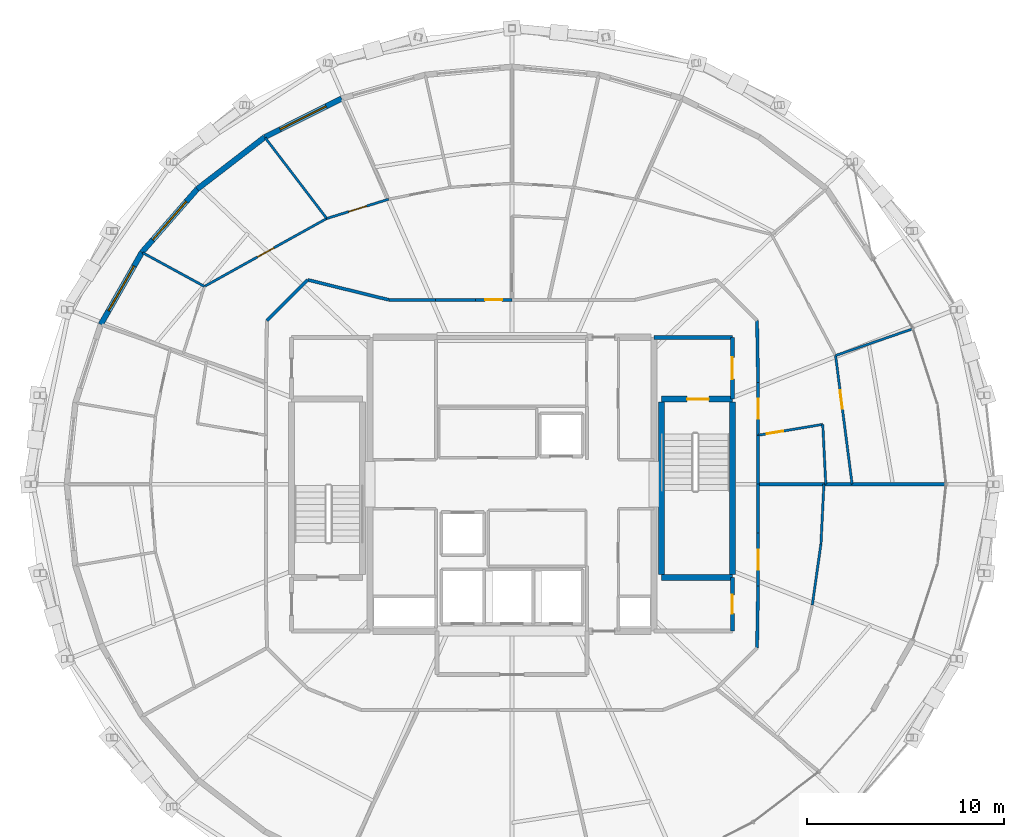
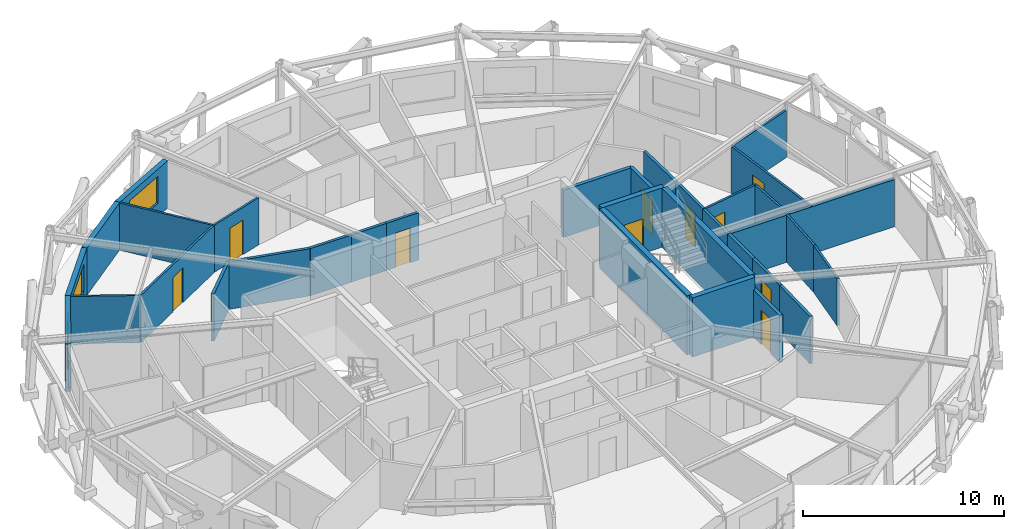
# One storey, part 14 of 17: 33 walls, 10 doors, 3 windows, 13 openings.
"""IFC4 building model written with IfcOpenShell, lengths in metres."""

from ifc_helpers import new_model, si_unit, direction, frame, frame_2d, origin, place, context, subcontext, project, spatial, rectangle, extrude, material, layer, layer_set, type_object, element, fill, save


model = new_model("IFC4")

# Units and contexts
model_context = context("Model", 3, precision=1e-05, world=origin(), true_north=direction((0.0, 1.0)))
body_context = subcontext(model_context, "Body", "Model", "MODEL_VIEW")
ifc_project = project(units=[si_unit("LENGTHUNIT", "METRE"), si_unit("AREAUNIT", "SQUARE_METRE"), si_unit("VOLUMEUNIT", "CUBIC_METRE"), si_unit("PLANEANGLEUNIT", "RADIAN"), si_unit("MASSUNIT", "GRAM", prefix="KILO")], contexts=[model_context])

# Site, building, storey
site_placement = place(None, origin())
site = spatial("IfcSite", under=ifc_project, at=site_placement, CompositionType="ELEMENT")
building_placement = place(site_placement, origin())
building = spatial("IfcBuilding", under=site, at=building_placement, Name="Veldorina Hangang Commons", CompositionType="ELEMENT")
storey_placement = place(building_placement, frame((0.0, 0.0, 229.199951171875)))
storey = spatial("IfcBuildingStorey", under=building, at=storey_placement, Name="L59", CompositionType="ELEMENT", Elevation=229.199951171875)

# Wall, opening, window
ifc_material_1 = material(Name="Stone Roman Travertine", Category="masonry")
ifc_layer_1 = layer(ifc_material_1, 0.280029296875)
ifc_layer_set_1 = layer_set([ifc_layer_1], Name="Stone Roman Travertine")
wall_type_1 = type_object("IfcWallType", Name="EW-TRAV-280", PredefinedType="STANDARD", material=ifc_layer_set_1)
wall_1_placement = place(storey_placement, frame((23.361328125, 43.558837890625, 0.0), z_axis=(0.0, 0.0, 1.0), x_axis=(-0.893979362311, -0.448108134005, 0.0)))
wall_1 = element("IfcWall", 1, at=wall_1_placement, inside=storey, type_object=wall_type_1, Name="L59 travertine facade wall 10", PredefinedType="STANDARD", context=body_context, shape_type="SweptSolid", body=[
    extrude(rectangle(XDim=4.36572265625, YDim=0.280029296875, at=frame_2d((2.182861328125, 0.0))), origin(), (0.0, 0.0, 1.0), 2.880126953125),
])
opening_1_placement = place(wall_1_placement, frame((0.8828125, 0.0, 0.800048828125)))
opening_1 = element("IfcOpeningElement", 2, at=opening_1_placement, cuts=wall_1, Name="Opening W-02", PredefinedType="OPENING", context=body_context, shape_type="SweptSolid", body=[
    extrude(rectangle(XDim=2.60009765625, YDim=1.64990234375, at=frame_2d((1.300048828125, 0.824951171875))), frame((0.0, 0.14990234375, 0.0), z_axis=(0.0, -1.0, 0.0), x_axis=(1.0, 0.0, 0.0)), (0.0, 0.0, 1.0), 0.300048828125),
])
ifc_material_2 = material(Name="Glass Low-E Triple IGU", Category="glass")
window_type = type_object("IfcWindowType", Name="WIN-TWR-2600", PartitioningType="SINGLE_PANEL", PredefinedType="WINDOW", material=ifc_material_2)
window_1_placement = place(opening_1_placement, origin())
window_1 = element("IfcWindow", 3, at=window_1_placement, inside=storey, type_object=window_type, Name="L59 facade window 10", OverallHeight=1.64990234375, OverallWidth=2.60009765625, PartitioningType="SINGLE_PANEL", PredefinedType="WINDOW", context=body_context, shape_type="SweptSolid", body=[
    extrude(rectangle(XDim=2.60009765625, YDim=1.64990234375, at=frame_2d((1.300048828125, 0.824951171875))), frame((0.0, 0.030029296875, 0.0), z_axis=(0.0, -1.0, 0.0), x_axis=(1.0, 0.0, 0.0)), (0.0, 0.0, 1.0), 0.06005859375),
])
fill(opening_1, window_1)

# Wall
wall_2_placement = place(storey_placement, frame((19.45849609375, 41.6025390625, 0.0), z_axis=(0.0, 0.0, 1.0), x_axis=(-0.792451546341, -0.609934870869, 0.0)))
element("IfcWall", 4, at=wall_2_placement, inside=storey, type_object=wall_type_1, Name="L59 travertine facade wall 11", PredefinedType="STANDARD", context=body_context, shape_type="SweptSolid", body=[
    extrude(rectangle(XDim=4.316650390625, YDim=0.280029296875, at=frame_2d((2.158203125, 0.0))), origin(), (0.0, 0.0, 1.0), 2.880126953125),
])

# Wall, opening, window
wall_3_placement = place(storey_placement, frame((16.037841796875, 38.9697265625, 0.0), z_axis=(0.0, 0.0, 1.0), x_axis=(-0.65855326106, -0.752534120387, 0.0)))
wall_3 = element("IfcWall", 5, at=wall_3_placement, inside=storey, type_object=wall_type_1, Name="L59 travertine facade wall 12", PredefinedType="STANDARD", context=body_context, shape_type="SweptSolid", body=[
    extrude(rectangle(XDim=4.262939453125, YDim=0.280029296875, at=frame_2d((2.13134765625, 0.0))), origin(), (0.0, 0.0, 1.0), 2.880126953125),
])
opening_2_placement = place(wall_3_placement, frame((0.83154296875, 0.0, 0.800048828125)))
opening_2 = element("IfcOpeningElement", 6, at=opening_2_placement, cuts=wall_3, Name="Opening W-02", PredefinedType="OPENING", context=body_context, shape_type="SweptSolid", body=[
    extrude(rectangle(XDim=2.60009765625, YDim=1.64990234375, at=frame_2d((1.300048828125, 0.824951171875))), frame((0.0, 0.14990234375, 0.0), z_axis=(0.0, -1.0, 0.0), x_axis=(1.0, 0.0, 0.0)), (0.0, 0.0, 1.0), 0.300048828125),
])
window_2_placement = place(opening_2_placement, origin())
window_2 = element("IfcWindow", 7, at=window_2_placement, inside=storey, type_object=window_type, Name="L59 facade window 12", OverallHeight=1.64990234375, OverallWidth=2.60009765625, PartitioningType="SINGLE_PANEL", PredefinedType="WINDOW", context=body_context, shape_type="SweptSolid", body=[
    extrude(rectangle(XDim=2.60009765625, YDim=1.64990234375, at=frame_2d((1.300048828125, 0.824951171875))), frame((0.0, 0.030029296875, 0.0), z_axis=(0.0, -1.0, 0.0), x_axis=(1.0, 0.0, 0.0)), (0.0, 0.0, 1.0), 0.06005859375),
])
fill(opening_2, window_2)

wall_4_placement = place(storey_placement, frame((13.23046875, 35.76171875, 0.0), z_axis=(0.0, 0.0, 1.0), x_axis=(-0.495183798622, -0.868788239782, 0.0)))
wall_4 = element("IfcWall", 8, at=wall_4_placement, inside=storey, type_object=wall_type_1, Name="L59 travertine facade wall 13", PredefinedType="STANDARD", context=body_context, shape_type="SweptSolid", body=[
    extrude(rectangle(XDim=4.212890625, YDim=0.280029296875, at=frame_2d((2.1064453125, 0.0))), origin(), (0.0, 0.0, 1.0), 2.880126953125),
])
opening_3_placement = place(wall_4_placement, frame((0.806396484375, 0.0, 0.800048828125)))
opening_3 = element("IfcOpeningElement", 9, at=opening_3_placement, cuts=wall_4, Name="Opening W-02", PredefinedType="OPENING", context=body_context, shape_type="SweptSolid", body=[
    extrude(rectangle(XDim=2.60009765625, YDim=1.64990234375, at=frame_2d((1.300048828125, 0.824951171875))), frame((0.0, 0.14990234375, 0.0), z_axis=(0.0, -1.0, 0.0), x_axis=(1.0, 0.0, 0.0)), (0.0, 0.0, 1.0), 0.300048828125),
])
window_3_placement = place(opening_3_placement, origin())
window_3 = element("IfcWindow", 10, at=window_3_placement, inside=storey, type_object=window_type, Name="L59 facade window 13", OverallHeight=1.64990234375, OverallWidth=2.60009765625, PartitioningType="SINGLE_PANEL", PredefinedType="WINDOW", context=body_context, shape_type="SweptSolid", body=[
    extrude(rectangle(XDim=2.60009765625, YDim=1.64990234375, at=frame_2d((1.300048828125, 0.824951171875))), frame((0.0, 0.030029296875, 0.0), z_axis=(0.0, -1.0, 0.0), x_axis=(1.0, 0.0, 0.0)), (0.0, 0.0, 1.0), 0.06005859375),
])
fill(opening_3, window_3)

# Walls
ifc_material_3 = material(Name="Concrete C50/60", Category="concrete")
ifc_layer_2 = layer(ifc_material_3, 0.300048828125)
ifc_layer_set_2 = layer_set([ifc_layer_2], Name="Concrete C50/60")
wall_type_2 = type_object("IfcWallType", Name="SW-STAIR-300", PredefinedType="SHEAR", material=ifc_layer_set_2)
for number, where, z_axis, x_axis, name in (
    (11, (43.179931640625, 19.429931640625, 0.0), (0.0, 0.0, 1.0), (0.0, 1.0, 0.0), "L59 ST2 outer stair shear wall"),
    (12, (39.580078125, 19.429931640625, 0.0), (0.0, 0.0, 1.0), (0.0, 1.0, 0.0), "L59 ST2 inner stair shear wall"),
):
    element("IfcWall", number, at=place(storey_placement, frame(where, z_axis=z_axis, x_axis=x_axis)), inside=storey, type_object=wall_type_2, Name=name, PredefinedType="SHEAR", context=body_context, shape_type="SweptSolid", body=[
        extrude(rectangle(XDim=8.739990234375, YDim=0.300048828125, at=frame_2d((4.3701171875, 0.0))), origin(), (0.0, 0.0, 1.0), 3.60009765625),
    ])
wall_5_placement = place(storey_placement, frame((39.580078125, 19.280029296875, 0.0), z_axis=(0.0, 0.0, 1.0), x_axis=(1.0, 0.0, 0.0)))
element("IfcWall", 13, at=wall_5_placement, inside=storey, type_object=wall_type_2, Name="L59 ST2 south stair shear wall", PredefinedType="SHEAR", context=body_context, shape_type="SweptSolid", body=[
    extrude(rectangle(XDim=3.599853515625, YDim=0.300048828125, at=frame_2d((1.7998046875, 0.0))), origin(), (0.0, 0.0, 1.0), 3.60009765625),
])

# Wall, opening, door
wall_6_placement = place(storey_placement, frame((39.580078125, 28.320068359375, 0.0), z_axis=(0.0, 0.0, 1.0), x_axis=(1.0, 0.0, 0.0)))
wall_6 = element("IfcWall", 14, at=wall_6_placement, inside=storey, type_object=wall_type_2, Name="L59 ST2 north stair shear wall", PredefinedType="SHEAR", context=body_context, shape_type="SweptSolid", body=[
    extrude(rectangle(XDim=3.599853515625, YDim=0.300048828125, at=frame_2d((1.7998046875, 0.0))), origin(), (0.0, 0.0, 1.0), 3.60009765625),
])
opening_4_placement = place(wall_6_placement, frame((1.300048828125, 0.0, 0.0)))
opening_4 = element("IfcOpeningElement", 15, at=opening_4_placement, cuts=wall_6, Name="Opening D-08", PredefinedType="OPENING", context=body_context, shape_type="SweptSolid", body=[
    extrude(rectangle(XDim=1.10009765625, YDim=2.10009765625, at=frame_2d((0.550048828125, 1.050048828125))), frame((0.0, 0.16015625, 0.0), z_axis=(0.0, -1.0, 0.0), x_axis=(1.0, 0.0, 0.0)), (0.0, 0.0, 1.0), 0.320068359375),
])
ifc_material_4 = material(Name="Steel Fire-Rated Smoke Seal", Category="steel")
door_type_1 = type_object("IfcDoorType", Name="DR-FIRE-1100", OperationType="SINGLE_SWING_RIGHT", PredefinedType="DOOR", material=ifc_material_4)
door_1_placement = place(opening_4_placement, origin())
door_1 = element("IfcDoor", 16, at=door_1_placement, inside=storey, type_object=door_type_1, Name="L59 Special Escape Stair ST-2 door", OperationType="SINGLE_SWING_RIGHT", OverallHeight=2.10009765625, OverallWidth=1.10009765625, PredefinedType="DOOR", context=body_context, shape_type="SweptSolid", body=[
    extrude(rectangle(XDim=1.10009765625, YDim=2.10009765625, at=frame_2d((0.550048828125, 1.050048828125))), frame((0.0, 0.02490234375, 0.0), z_axis=(0.0, -1.0, 0.0), x_axis=(1.0, 0.0, 0.0)), (0.0, 0.0, 1.0), 0.050048828125),
])
fill(opening_4, door_1)

# Wall
ifc_material_5 = material(Name="Gypsum Fire-Rated Twin Stud Wall", Category="gypsum")
ifc_layer_3 = layer(ifc_material_5, 0.159912109375)
ifc_layer_set_3 = layer_set([ifc_layer_3], Name="Gypsum Fire-Rated Twin Stud Wall")
wall_type_3 = type_object("IfcWallType", Name="WL-FIRE-160", PredefinedType="SOLIDWALL", material=ifc_layer_set_3)
wall_7_placement = place(storey_placement, frame((44.47998046875, 24.0, 0.0), z_axis=(0.0, 0.0, 1.0), x_axis=(0.0, 1.0, 0.0)))
element("IfcWall", 17, at=wall_7_placement, inside=storey, type_object=wall_type_3, Name="L59 Compact collar outer wall 00 050", PredefinedType="SOLIDWALL", context=body_context, shape_type="SweptSolid", body=[
    extrude(rectangle(XDim=2.482421875, YDim=0.159912109375, at=frame_2d((1.2412109375, 0.0))), origin(), (0.0, 0.0, 1.0), 2.8701171875),
])

# Wall, opening, door
wall_8_placement = place(storey_placement, frame((44.47998046875, 26.482421875, 0.0), z_axis=(0.0, 0.0, 1.0), x_axis=(0.0, 1.0, 0.0)))
wall_8 = element("IfcWall", 18, at=wall_8_placement, inside=storey, type_object=wall_type_3, Name="L59 Compact collar outer wall 01 051", PredefinedType="SOLIDWALL", context=body_context, shape_type="SweptSolid", body=[
    extrude(rectangle(XDim=2.68701171875, YDim=0.159912109375, at=frame_2d((1.343505859375, 0.0))), origin(), (0.0, 0.0, 1.0), 2.8701171875),
])
opening_5_placement = place(wall_8_placement, frame((0.843505859375, 0.0, 0.0)))
opening_5 = element("IfcOpeningElement", 19, at=opening_5_placement, cuts=wall_8, Name="Opening D-06", PredefinedType="OPENING", context=body_context, shape_type="SweptSolid", body=[
    extrude(rectangle(XDim=1.0, YDim=2.10009765625, at=frame_2d((0.5, 1.050048828125))), frame((0.0, 0.08984375, 0.0), z_axis=(0.0, -1.0, 0.0), x_axis=(1.0, 0.0, 0.0)), (0.0, 0.0, 1.0), 0.179931640625),
])
ifc_material_6 = material(Name="Timber Fire-Rated Entrance Core", Category="wood")
door_type_2 = type_object("IfcDoorType", Name="DR-UNIT-1000", OperationType="SINGLE_SWING_LEFT", PredefinedType="DOOR", material=ifc_material_6)
door_2_placement = place(opening_5_placement, origin())
door_2 = element("IfcDoor", 20, at=door_2_placement, inside=storey, type_object=door_type_2, Name="L59 Cluster 2 entrance door 021", OperationType="SINGLE_SWING_LEFT", OverallHeight=2.10009765625, OverallWidth=1.0, PredefinedType="DOOR", context=body_context, shape_type="SweptSolid", body=[
    extrude(rectangle(XDim=1.0, YDim=2.10009765625, at=frame_2d((0.5, 1.050048828125))), frame((0.0, 0.02490234375, 0.0), z_axis=(0.0, -1.0, 0.0), x_axis=(1.0, 0.0, 0.0)), (0.0, 0.0, 1.0), 0.050048828125),
])
fill(opening_5, door_2)

# Wall
wall_9_placement = place(storey_placement, frame((44.47998046875, 29.16943359375, 0.0), z_axis=(0.0, 0.0, 1.0), x_axis=(-0.016981035134, 0.999855811828, 0.0)))
element("IfcWall", 21, at=wall_9_placement, inside=storey, type_object=wall_type_3, Name="L59 Compact collar outer wall 02 052", PredefinedType="SOLIDWALL", context=body_context, shape_type="SweptSolid", body=[
    extrude(rectangle(XDim=3.13427734375, YDim=0.159912109375, at=frame_2d((1.567138671875, 0.0))), origin(), (0.0, 0.0, 1.0), 2.8701171875),
])

# Wall, opening, door
wall_10_placement = place(storey_placement, frame((32.0, 33.35009765625, 0.0), z_axis=(0.0, 0.0, 1.0), x_axis=(-1.0, 0.0, 0.0)))
wall_10 = element("IfcWall", 22, at=wall_10_placement, inside=storey, type_object=wall_type_3, Name="L59 Compact collar outer wall 08 058", PredefinedType="SOLIDWALL", context=body_context, shape_type="SweptSolid", body=[
    extrude(rectangle(XDim=1.85986328125, YDim=0.159912109375, at=frame_2d((0.929931640625, 0.0))), origin(), (0.0, 0.0, 1.0), 2.8701171875),
])
opening_6_placement = place(wall_10_placement, frame((0.5, 0.0, 0.0)))
opening_6 = element("IfcOpeningElement", 23, at=opening_6_placement, cuts=wall_10, Name="Opening D-01N", PredefinedType="OPENING", context=body_context, shape_type="SweptSolid", body=[
    extrude(rectangle(XDim=0.860107421875, YDim=2.10009765625, at=frame_2d((0.43017578125, 1.050048828125))), frame((0.0, 0.08984375, 0.0), z_axis=(0.0, -1.0, 0.0), x_axis=(1.0, 0.0, 0.0)), (0.0, 0.0, 1.0), 0.179931640625),
])
ifc_material_7 = material(Name="Timber Fire-Rated Core", Category="wood")
door_type_3 = type_object("IfcDoorType", Name="DR-INT-860", OperationType="SINGLE_SWING_LEFT", PredefinedType="DOOR", material=ifc_material_7)
door_3_placement = place(opening_6_placement, origin())
door_3 = element("IfcDoor", 24, at=door_3_placement, inside=storey, type_object=door_type_3, Name="L59 Cluster 3 entrance door 027", OperationType="SINGLE_SWING_LEFT", OverallHeight=2.10009765625, OverallWidth=0.860107421875, PredefinedType="DOOR", context=body_context, shape_type="SweptSolid", body=[
    extrude(rectangle(XDim=0.860107421875, YDim=2.10009765625, at=frame_2d((0.43017578125, 1.050048828125))), frame((0.0, 0.02490234375, 0.0), z_axis=(0.0, -1.0, 0.0), x_axis=(1.0, 0.0, 0.0)), (0.0, 0.0, 1.0), 0.050048828125),
])
fill(opening_6, door_3)

# Walls
wall_11_placement = place(storey_placement, frame((30.14013671875, 33.35009765625, 0.0), z_axis=(0.0, 0.0, 1.0), x_axis=(-1.0, 0.0, 0.0)))
element("IfcWall", 25, at=wall_11_placement, inside=storey, type_object=wall_type_3, Name="L59 Compact collar outer wall 09 059", PredefinedType="SOLIDWALL", context=body_context, shape_type="SweptSolid", body=[
    extrude(rectangle(XDim=2.012939453125, YDim=0.159912109375, at=frame_2d((1.00634765625, 0.0))), origin(), (0.0, 0.0, 1.0), 2.8701171875),
])
wall_12_placement = place(storey_placement, frame((28.127197265625, 33.35009765625, 0.0), z_axis=(0.0, 0.0, 1.0), x_axis=(-1.0, 0.0, 0.0)))
element("IfcWall", 26, at=wall_12_placement, inside=storey, type_object=wall_type_3, Name="L59 Compact collar outer wall 10 060", PredefinedType="SOLIDWALL", context=body_context, shape_type="SweptSolid", body=[
    extrude(rectangle(XDim=2.374755859375, YDim=0.159912109375, at=frame_2d((1.1875, 0.0))), origin(), (0.0, 0.0, 1.0), 2.8701171875),
])
wall_13_placement = place(storey_placement, frame((25.75244140625, 33.35009765625, 0.0), z_axis=(0.0, 0.0, 1.0), x_axis=(-0.970939799552, 0.239323850978, 0.0)))
element("IfcWall", 27, at=wall_13_placement, inside=storey, type_object=wall_type_3, Name="L59 Compact collar outer wall 11 061", PredefinedType="SOLIDWALL", context=body_context, shape_type="SweptSolid", body=[
    extrude(rectangle(XDim=4.24072265625, YDim=0.159912109375, at=frame_2d((2.120361328125, 0.0))), origin(), (0.0, 0.0, 1.0), 2.8701171875),
])
wall_14_placement = place(storey_placement, frame((21.635009765625, 34.364990234375, 0.0), z_axis=(0.0, 0.0, 1.0), x_axis=(-0.707106781187, -0.707106781187, 0.0)))
element("IfcWall", 28, at=wall_14_placement, inside=storey, type_object=wall_type_3, Name="L59 Compact collar outer wall 12 062", PredefinedType="SOLIDWALL", context=body_context, shape_type="SweptSolid", body=[
    extrude(rectangle(XDim=2.915771484375, YDim=0.159912109375, at=frame_2d((1.4580078125, 0.0))), origin(), (0.0, 0.0, 1.0), 2.8701171875),
])
wall_15_placement = place(storey_placement, frame((44.4267578125, 15.69677734375, 0.0), z_axis=(0.0, 0.0, 1.0), x_axis=(0.016981035134, 0.999855811828, 0.0)))
element("IfcWall", 29, at=wall_15_placement, inside=storey, type_object=wall_type_3, Name="L59 Compact collar outer wall 29 079", PredefinedType="SOLIDWALL", context=body_context, shape_type="SweptSolid", body=[
    extrude(rectangle(XDim=3.13427734375, YDim=0.159912109375, at=frame_2d((1.567138671875, 0.0))), origin(), (0.0, 0.0, 1.0), 2.8701171875),
])

# Wall, opening, door
wall_16_placement = place(storey_placement, frame((44.47998046875, 18.83056640625, 0.0), z_axis=(0.0, 0.0, 1.0), x_axis=(0.0, 1.0, 0.0)))
wall_16 = element("IfcWall", 30, at=wall_16_placement, inside=storey, type_object=wall_type_3, Name="L59 Compact collar outer wall 30 080", PredefinedType="SOLIDWALL", context=body_context, shape_type="SweptSolid", body=[
    extrude(rectangle(XDim=2.68701171875, YDim=0.159912109375, at=frame_2d((1.343505859375, 0.0))), origin(), (0.0, 0.0, 1.0), 2.8701171875),
])
opening_7_placement = place(wall_16_placement, frame((0.843505859375, 0.0, 0.0)))
opening_7 = element("IfcOpeningElement", 31, at=opening_7_placement, cuts=wall_16, Name="Opening D-05", PredefinedType="OPENING", context=body_context, shape_type="SweptSolid", body=[
    extrude(rectangle(XDim=1.0, YDim=2.10009765625, at=frame_2d((0.5, 1.050048828125))), frame((0.0, 0.08984375, 0.0), z_axis=(0.0, -1.0, 0.0), x_axis=(1.0, 0.0, 0.0)), (0.0, 0.0, 1.0), 0.179931640625),
])
ifc_material_8 = material(Name="Timber Solid Core Acoustic", Category="wood")
door_type_4 = type_object("IfcDoorType", Name="DR-INT-1000", OperationType="SINGLE_SWING_RIGHT", PredefinedType="DOOR", material=ifc_material_8)
door_4_placement = place(opening_7_placement, origin())
door_4 = element("IfcDoor", 32, at=door_4_placement, inside=storey, type_object=door_type_4, Name="L59 Commons alcove door 018", OperationType="SINGLE_SWING_RIGHT", OverallHeight=2.10009765625, OverallWidth=1.0, PredefinedType="DOOR", context=body_context, shape_type="SweptSolid", body=[
    extrude(rectangle(XDim=1.0, YDim=2.10009765625, at=frame_2d((0.5, 1.050048828125))), frame((0.0, 0.02490234375, 0.0), z_axis=(0.0, -1.0, 0.0), x_axis=(1.0, 0.0, 0.0)), (0.0, 0.0, 1.0), 0.050048828125),
])
fill(opening_7, door_4)

# Walls
wall_17_placement = place(storey_placement, frame((44.47998046875, 21.517578125, 0.0), z_axis=(0.0, 0.0, 1.0), x_axis=(0.0, 1.0, 0.0)))
element("IfcWall", 33, at=wall_17_placement, inside=storey, type_object=wall_type_3, Name="L59 Compact collar outer wall 31 081", PredefinedType="SOLIDWALL", context=body_context, shape_type="SweptSolid", body=[
    extrude(rectangle(XDim=2.482421875, YDim=0.159912109375, at=frame_2d((1.2412109375, 0.0))), origin(), (0.0, 0.0, 1.0), 2.8701171875),
])
wall_18_placement = place(storey_placement, frame((44.47998046875, 24.0, 0.0), z_axis=(0.0, 0.0, 1.0), x_axis=(1.0, 0.0, 0.0)))
element("IfcWall", 34, at=wall_18_placement, inside=storey, type_object=wall_type_3, Name="L59 Unit party wall 00 087", PredefinedType="SOLIDWALL", context=body_context, shape_type="SweptSolid", body=[
    extrude(rectangle(XDim=9.484130859375, YDim=0.159912109375, at=frame_2d((4.7421875, 0.0))), origin(), (0.0, 0.0, 1.0), 2.8701171875),
])

# Wall, opening, door
ifc_material_9 = material(Name="Concrete Blockwork Fire Wall C30/37", Category="masonry")
ifc_layer_4 = layer(ifc_material_9, 0.199951171875)
ifc_layer_set_4 = layer_set([ifc_layer_4], Name="Concrete Blockwork Fire Wall C30/37")
wall_type_4 = type_object("IfcWallType", Name="WL-FIRE-200", PredefinedType="SOLIDWALL", material=ifc_layer_set_4)
wall_19_placement = place(storey_placement, frame((43.179931640625, 28.320068359375, 0.0), z_axis=(0.0, 0.0, 1.0), x_axis=(0.0, 1.0, 0.0)))
wall_19 = element("IfcWall", 35, at=wall_19_placement, inside=storey, type_object=wall_type_4, Name="L59 East vestibule outer wall 003", PredefinedType="SOLIDWALL", context=body_context, shape_type="SweptSolid", body=[
    extrude(rectangle(XDim=3.1298828125, YDim=0.199951171875, at=frame_2d((1.56494140625, 0.0))), origin(), (0.0, 0.0, 1.0), 2.8701171875),
])
opening_8_placement = place(wall_19_placement, frame((1.014892578125, 0.0, 0.0)))
opening_8 = element("IfcOpeningElement", 36, at=opening_8_placement, cuts=wall_19, Name="Opening D-08", PredefinedType="OPENING", context=body_context, shape_type="SweptSolid", body=[
    extrude(rectangle(XDim=1.10009765625, YDim=2.10009765625, at=frame_2d((0.550048828125, 1.050048828125))), frame((0.0, 0.10986328125, 0.0), z_axis=(0.0, -1.0, 0.0), x_axis=(1.0, 0.0, 0.0)), (0.0, 0.0, 1.0), 0.219970703125),
])
door_5_placement = place(opening_8_placement, origin())
door_5 = element("IfcDoor", 37, at=door_5_placement, inside=storey, type_object=door_type_1, Name="L59 East vestibule east door 002", OperationType="SINGLE_SWING_RIGHT", OverallHeight=2.10009765625, OverallWidth=1.10009765625, PredefinedType="DOOR", context=body_context, shape_type="SweptSolid", body=[
    extrude(rectangle(XDim=1.10009765625, YDim=2.10009765625, at=frame_2d((0.550048828125, 1.050048828125))), frame((0.0, 0.02490234375, 0.0), z_axis=(0.0, -1.0, 0.0), x_axis=(1.0, 0.0, 0.0)), (0.0, 0.0, 1.0), 0.050048828125),
])
fill(opening_8, door_5)

# Wall
wall_20_placement = place(storey_placement, frame((39.199951171875, 31.449951171875, 0.0), z_axis=(0.0, 0.0, 1.0), x_axis=(1.0, 0.0, 0.0)))
element("IfcWall", 38, at=wall_20_placement, inside=storey, type_object=wall_type_4, Name="L59 East vestibule north wall 004", PredefinedType="SOLIDWALL", context=body_context, shape_type="SweptSolid", body=[
    extrude(rectangle(XDim=3.97998046875, YDim=0.199951171875, at=frame_2d((1.989990234375, 0.0))), origin(), (0.0, 0.0, 1.0), 2.8701171875),
])

# Wall, opening, door
wall_21_placement = place(storey_placement, frame((43.179931640625, 16.550048828125, 0.0), z_axis=(0.0, 0.0, 1.0), x_axis=(0.0, 1.0, 0.0)))
wall_21 = element("IfcWall", 39, at=wall_21_placement, inside=storey, type_object=wall_type_4, Name="L59 SE core room outer wall 007", PredefinedType="SOLIDWALL", context=body_context, shape_type="SweptSolid", body=[
    extrude(rectangle(XDim=2.72998046875, YDim=0.199951171875, at=frame_2d((1.364990234375, 0.0))), origin(), (0.0, 0.0, 1.0), 2.8701171875),
])
opening_9_placement = place(wall_21_placement, frame((0.889892578125, 0.0, 0.0)))
opening_9 = element("IfcOpeningElement", 40, at=opening_9_placement, cuts=wall_21, Name="Opening D-02", PredefinedType="OPENING", context=body_context, shape_type="SweptSolid", body=[
    extrude(rectangle(XDim=0.949951171875, YDim=2.10009765625, at=frame_2d((0.47509765625, 1.050048828125))), frame((0.0, 0.10986328125, 0.0), z_axis=(0.0, -1.0, 0.0), x_axis=(1.0, 0.0, 0.0)), (0.0, 0.0, 1.0), 0.219970703125),
])
door_type_5 = type_object("IfcDoorType", Name="DR-INT-950", OperationType="SINGLE_SWING_LEFT", PredefinedType="DOOR", material=ifc_material_8)
door_6_placement = place(opening_9_placement, origin())
door_6 = element("IfcDoor", 41, at=door_6_placement, inside=storey, type_object=door_type_5, Name="L59 SE core WC door 004", OperationType="SINGLE_SWING_RIGHT", OverallHeight=2.10009765625, OverallWidth=0.949951171875, PredefinedType="DOOR", context=body_context, shape_type="SweptSolid", body=[
    extrude(rectangle(XDim=0.949951171875, YDim=2.10009765625, at=frame_2d((0.47509765625, 1.050048828125))), frame((0.0, 0.02490234375, 0.0), z_axis=(0.0, -1.0, 0.0), x_axis=(1.0, 0.0, 0.0)), (0.0, 0.0, 1.0), 0.050048828125),
])
fill(opening_9, door_6)

# Walls
ifc_material_10 = material(Name="Gypsum Acoustic Stud Partition", Category="gypsum")
ifc_layer_5 = layer(ifc_material_10, 0.1201171875)
ifc_layer_set_5 = layer_set([ifc_layer_5], Name="Gypsum Acoustic Stud Partition")
wall_type_5 = type_object("IfcWallType", Name="WL-PART-120", PredefinedType="PARTITIONING", material=ifc_layer_set_5)
wall_22_placement = place(storey_placement, frame((47.23046875, 17.87939453125, 0.0), z_axis=(0.0, 0.0, 1.0), x_axis=(0.139990883937, 0.990152792459, 0.0)))
element("IfcWall", 42, at=wall_22_placement, inside=storey, type_object=wall_type_5, Name="L59 Lounge alcove split 2 085", PredefinedType="PARTITIONING", context=body_context, shape_type="SweptSolid", body=[
    extrude(rectangle(XDim=3.13037109375, YDim=0.1201171875, at=frame_2d((1.565185546875, 0.0))), origin(), (0.0, 0.0, 1.0), 2.8701171875),
])
wall_23_placement = place(storey_placement, frame((47.668701171875, 20.97900390625, 0.0), z_axis=(0.0, 0.0, 1.0), x_axis=(0.048995554465, 0.998798996617, 0.0)))
element("IfcWall", 43, at=wall_23_placement, inside=storey, type_object=wall_type_5, Name="L59 Lounge alcove split 3 086", PredefinedType="PARTITIONING", context=body_context, shape_type="SweptSolid", body=[
    extrude(rectangle(XDim=3.024658203125, YDim=0.1201171875, at=frame_2d((1.51220703125, 0.0))), origin(), (0.0, 0.0, 1.0), 2.8701171875),
])
wall_24_placement = place(storey_placement, frame((47.912109375, 24.0, 0.0), z_axis=(0.0, 0.0, 1.0), x_axis=(-0.050029736668, 0.998747728633, 0.0)))
element("IfcWall", 44, at=wall_24_placement, inside=storey, type_object=wall_type_5, Name="L59 Cluster 2 bath front wall 088", PredefinedType="PARTITIONING", context=body_context, shape_type="SweptSolid", body=[
    extrude(rectangle(XDim=3.040283203125, YDim=0.1201171875, at=frame_2d((1.52001953125, 0.0))), origin(), (0.0, 0.0, 1.0), 2.8701171875),
])

# Wall, opening, door
wall_25_placement = place(storey_placement, frame((44.47998046875, 26.482421875, 0.0), z_axis=(0.0, 0.0, 1.0), x_axis=(0.986036559249, 0.166528987937, 0.0)))
wall_25 = element("IfcWall", 45, at=wall_25_placement, inside=storey, type_object=wall_type_5, Name="L59 Cluster 2 bath side wall 089", PredefinedType="PARTITIONING", context=body_context, shape_type="SweptSolid", body=[
    extrude(rectangle(XDim=3.326416015625, YDim=0.1201171875, at=frame_2d((1.6630859375, 0.0))), origin(), (0.0, 0.0, 1.0), 2.8701171875),
])
opening_10_placement = place(wall_25_placement, frame((0.43994140625, 0.0, 0.0)))
opening_10 = element("IfcOpeningElement", 46, at=opening_10_placement, cuts=wall_25, Name="Opening D-01", PredefinedType="OPENING", context=body_context, shape_type="SweptSolid", body=[
    extrude(rectangle(XDim=0.860107421875, YDim=2.10009765625, at=frame_2d((0.43017578125, 1.050048828125))), frame((0.0, 0.070068359375, 0.0), z_axis=(0.0, -1.0, 0.0), x_axis=(1.0, 0.0, 0.0)), (0.0, 0.0, 1.0), 0.14013671875),
])
ifc_material_11 = material(Name="Timber Moisture-Resistant Core", Category="wood")
door_type_6 = type_object("IfcDoorType", Name="DR-WET-860", OperationType="SINGLE_SWING_LEFT", PredefinedType="DOOR", material=ifc_material_11)
door_7_placement = place(opening_10_placement, origin())
door_7 = element("IfcDoor", 47, at=door_7_placement, inside=storey, type_object=door_type_6, Name="L59 Cluster 2 shared bathroom door 020", OperationType="SINGLE_SWING_RIGHT", OverallHeight=2.10009765625, OverallWidth=0.860107421875, PredefinedType="DOOR", context=body_context, shape_type="SweptSolid", body=[
    extrude(rectangle(XDim=0.860107421875, YDim=2.10009765625, at=frame_2d((0.43017578125, 1.050048828125))), frame((0.0, 0.02490234375, 0.0), z_axis=(0.0, -1.0, 0.0), x_axis=(1.0, 0.0, 0.0)), (0.0, 0.0, 1.0), 0.050048828125),
])
fill(opening_10, door_7)

wall_26_placement = place(storey_placement, frame((49.2470703125, 24.0, 0.0), z_axis=(0.0, 0.0, 1.0), x_axis=(-0.12730280127, 0.991863900336, 0.0)))
wall_26 = element("IfcWall", 48, at=wall_26_placement, inside=storey, type_object=wall_type_5, Name="L59 Cluster 2 bed 1 front wall 090", PredefinedType="PARTITIONING", context=body_context, shape_type="SweptSolid", body=[
    extrude(rectangle(XDim=6.581787109375, YDim=0.1201171875, at=frame_2d((3.291015625, 0.0))), origin(), (0.0, 0.0, 1.0), 2.8701171875),
])
opening_11_placement = place(wall_26_placement, frame((3.861328125, 0.0, 0.0)))
opening_11 = element("IfcOpeningElement", 49, at=opening_11_placement, cuts=wall_26, Name="Opening D-02", PredefinedType="OPENING", context=body_context, shape_type="SweptSolid", body=[
    extrude(rectangle(XDim=0.949951171875, YDim=2.10009765625, at=frame_2d((0.47509765625, 1.050048828125))), frame((0.0, 0.070068359375, 0.0), z_axis=(0.0, -1.0, 0.0), x_axis=(1.0, 0.0, 0.0)), (0.0, 0.0, 1.0), 0.14013671875),
])
door_8_placement = place(opening_11_placement, origin())
door_8 = element("IfcDoor", 50, at=door_8_placement, inside=storey, type_object=door_type_5, Name="L59 Cluster 2 bed 1 door 022", OperationType="SINGLE_SWING_RIGHT", OverallHeight=2.10009765625, OverallWidth=0.949951171875, PredefinedType="DOOR", context=body_context, shape_type="SweptSolid", body=[
    extrude(rectangle(XDim=0.949951171875, YDim=2.10009765625, at=frame_2d((0.47509765625, 1.050048828125))), frame((0.0, 0.02490234375, 0.0), z_axis=(0.0, -1.0, 0.0), x_axis=(1.0, 0.0, 0.0)), (0.0, 0.0, 1.0), 0.050048828125),
])
fill(opening_11, door_8)

# Wall
wall_27_placement = place(storey_placement, frame((48.4091796875, 30.5283203125, 0.0), z_axis=(0.0, 0.0, 1.0), x_axis=(0.945075078679, 0.326853324381, 0.0)))
element("IfcWall", 51, at=wall_27_placement, inside=storey, type_object=wall_type_5, Name="L59 Cluster 2 bed divider 1 092", PredefinedType="PARTITIONING", context=body_context, shape_type="SweptSolid", body=[
    extrude(rectangle(XDim=4.107421875, YDim=0.1201171875, at=frame_2d((2.0537109375, 0.0))), origin(), (0.0, 0.0, 1.0), 2.8701171875),
])

# Wall, opening, door
wall_28_placement = place(storey_placement, frame((25.744140625, 38.454345703125, 0.0), z_axis=(0.0, 0.0, 1.0), x_axis=(-0.954716225697, -0.297517946335, 0.0)))
wall_28 = element("IfcWall", 52, at=wall_28_placement, inside=storey, type_object=wall_type_5, Name="L59 Cluster 3 bed 4 front wall 105", PredefinedType="PARTITIONING", context=body_context, shape_type="SweptSolid", body=[
    extrude(rectangle(XDim=3.287353515625, YDim=0.1201171875, at=frame_2d((1.6435546875, 0.0))), origin(), (0.0, 0.0, 1.0), 2.8701171875),
])
opening_12_placement = place(wall_28_placement, frame((1.168701171875, 0.0, 0.0)))
opening_12 = element("IfcOpeningElement", 53, at=opening_12_placement, cuts=wall_28, Name="Opening D-02", PredefinedType="OPENING", context=body_context, shape_type="SweptSolid", body=[
    extrude(rectangle(XDim=0.949951171875, YDim=2.10009765625, at=frame_2d((0.47509765625, 1.050048828125))), frame((0.0, 0.070068359375, 0.0), z_axis=(0.0, -1.0, 0.0), x_axis=(1.0, 0.0, 0.0)), (0.0, 0.0, 1.0), 0.14013671875),
])
door_9_placement = place(opening_12_placement, origin())
door_9 = element("IfcDoor", 54, at=door_9_placement, inside=storey, type_object=door_type_5, Name="L59 Cluster 3 bed 4 door 031", OperationType="SINGLE_SWING_LEFT", OverallHeight=2.10009765625, OverallWidth=0.949951171875, PredefinedType="DOOR", context=body_context, shape_type="SweptSolid", body=[
    extrude(rectangle(XDim=0.949951171875, YDim=2.10009765625, at=frame_2d((0.47509765625, 1.050048828125))), frame((0.0, 0.02490234375, 0.0), z_axis=(0.0, -1.0, 0.0), x_axis=(1.0, 0.0, 0.0)), (0.0, 0.0, 1.0), 0.050048828125),
])
fill(opening_12, door_9)

wall_29_placement = place(storey_placement, frame((22.605712890625, 37.476318359375, 0.0), z_axis=(0.0, 0.0, 1.0), x_axis=(-0.87432114738, -0.485347845616, 0.0)))
wall_29 = element("IfcWall", 55, at=wall_29_placement, inside=storey, type_object=wall_type_5, Name="L59 Cluster 3 bed 5 front wall 107", PredefinedType="PARTITIONING", context=body_context, shape_type="SweptSolid", body=[
    extrude(rectangle(XDim=7.095703125, YDim=0.1201171875, at=frame_2d((3.5478515625, 0.0))), origin(), (0.0, 0.0, 1.0), 2.8701171875),
])
opening_13_placement = place(wall_29_placement, frame((3.07275390625, 0.0, 0.0)))
opening_13 = element("IfcOpeningElement", 56, at=opening_13_placement, cuts=wall_29, Name="Opening D-02", PredefinedType="OPENING", context=body_context, shape_type="SweptSolid", body=[
    extrude(rectangle(XDim=0.949951171875, YDim=2.10009765625, at=frame_2d((0.47509765625, 1.050048828125))), frame((0.0, 0.070068359375, 0.0), z_axis=(0.0, -1.0, 0.0), x_axis=(1.0, 0.0, 0.0)), (0.0, 0.0, 1.0), 0.14013671875),
])
door_10_placement = place(opening_13_placement, origin())
door_10 = element("IfcDoor", 57, at=door_10_placement, inside=storey, type_object=door_type_5, Name="L59 Cluster 3 bed 5 door 032", OperationType="SINGLE_SWING_RIGHT", OverallHeight=2.10009765625, OverallWidth=0.949951171875, PredefinedType="DOOR", context=body_context, shape_type="SweptSolid", body=[
    extrude(rectangle(XDim=0.949951171875, YDim=2.10009765625, at=frame_2d((0.47509765625, 1.050048828125))), frame((0.0, 0.02490234375, 0.0), z_axis=(0.0, -1.0, 0.0), x_axis=(1.0, 0.0, 0.0)), (0.0, 0.0, 1.0), 0.050048828125),
])
fill(opening_13, door_10)

# Walls
wall_30_placement = place(storey_placement, frame((22.605712890625, 37.476318359375, 0.0), z_axis=(0.0, 0.0, 1.0), x_axis=(-0.606441031296, 0.795128464816, 0.0)))
element("IfcWall", 58, at=wall_30_placement, inside=storey, type_object=wall_type_5, Name="L59 Cluster 3 bed divider 4 108", PredefinedType="PARTITIONING", context=body_context, shape_type="SweptSolid", body=[
    extrude(rectangle(XDim=5.139404296875, YDim=0.1201171875, at=frame_2d((2.56982421875, 0.0))), origin(), (0.0, 0.0, 1.0), 2.8701171875),
])
wall_31_placement = place(storey_placement, frame((16.40185546875, 34.032470703125, 0.0), z_axis=(0.0, 0.0, 1.0), x_axis=(-0.877961046071, 0.478732077034, 0.0)))
element("IfcWall", 59, at=wall_31_placement, inside=storey, type_object=wall_type_5, Name="L59 Cluster 3 bed divider 5 110", PredefinedType="PARTITIONING", context=body_context, shape_type="SweptSolid", body=[
    extrude(rectangle(XDim=3.562255859375, YDim=0.1201171875, at=frame_2d((1.78125, 0.0))), origin(), (0.0, 0.0, 1.0), 2.8701171875),
])

save(model, "model.ifc")
